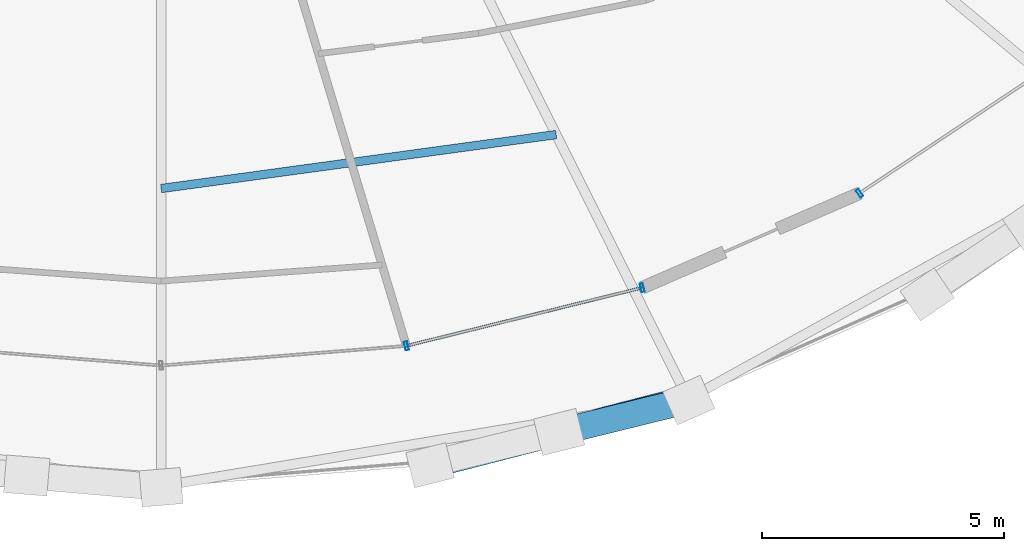
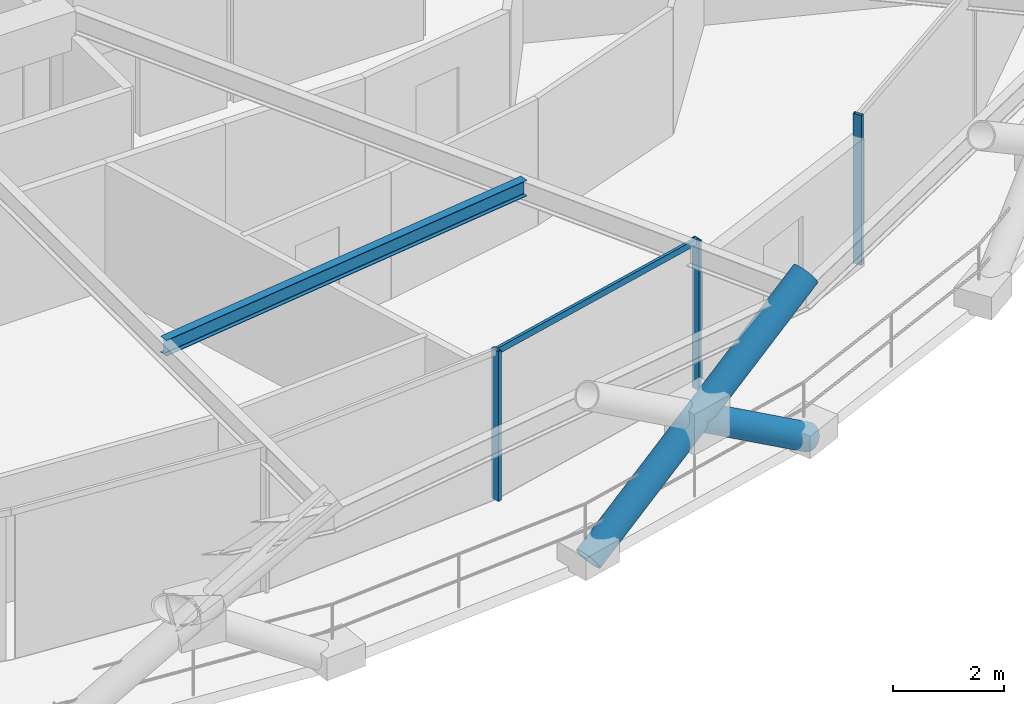
# One storey, part 4 of 20: 6 members, 1 beam, 2 elements without a shape of their own.
"""IFC4 building model written with IfcOpenShell, lengths in metres."""

from ifc_helpers import new_model, si_unit, direction, frame, origin, origin_2d, place, context, subcontext, project, spatial, hollow_rectangle, hollow_circle, i_section, extrude, material, layer, layer_set, material_profile, profile_set, type_object, element, aggregate, save


model = new_model("IFC4")

# Units and contexts
model_context = context("Model", 3, precision=1e-05, world=origin(), true_north=direction((0.0, 1.0)))
body_context = subcontext(model_context, "Body", "Model", "MODEL_VIEW")
ifc_project = project(units=[si_unit("LENGTHUNIT", "METRE"), si_unit("AREAUNIT", "SQUARE_METRE"), si_unit("VOLUMEUNIT", "CUBIC_METRE"), si_unit("PLANEANGLEUNIT", "RADIAN"), si_unit("MASSUNIT", "GRAM", prefix="KILO")], contexts=[model_context])

# Site, building, storey
site_placement = place(None, origin())
site = spatial("IfcSite", under=ifc_project, at=site_placement, CompositionType="ELEMENT")
building_placement = place(site_placement, origin())
building = spatial("IfcBuilding", under=site, at=building_placement, Name="Veldorina Hangang Commons", CompositionType="ELEMENT")
storey_placement = place(building_placement, frame((0.0, 0.0, 131.60009765625)))
storey = spatial("IfcBuildingStorey", under=building, at=storey_placement, Name="L33", CompositionType="ELEMENT", Elevation=131.60009765625)

# Beam
ifc_material_1 = material(Name="Steel SM355-TMC", Category="steel")
ifc_material_profile_1 = material_profile(ifc_material_1, i_section(OverallWidth=0.175048828125, OverallDepth=0.35009765625, WebThickness=0.007080078125, FlangeThickness=0.010986328125, FilletRadius=0.012939453125, at=origin_2d()), Name="H-350x175x7x11")
ifc_profile_set_1 = profile_set([ifc_material_profile_1], Name="Steel SM355-TMC")
beam_type = type_object("IfcBeamType", Name="BM-JST350", PredefinedType="JOIST", material=ifc_profile_set_1)
beam_placement = place(storey_placement, frame((32.0, 6.5029296875, 3.1748046875), z_axis=(0.990807291914, 0.135280857072, 0.0), x_axis=(-0.135280857072, 0.990807291914, 0.0)))
element("IfcBeam", 1, at=beam_placement, inside=storey, type_object=beam_type, Name="L33 secondary floor joist 13", PredefinedType="JOIST", context=body_context, shape_type="SweptSolid", body=[
    extrude(i_section(OverallWidth=0.175048828125, OverallDepth=0.35009765625, WebThickness=0.007080078125, FlangeThickness=0.010986328125, FilletRadius=0.012939453125, at=origin_2d()), origin(), (0.0, 0.0, 1.0), 8.2529296875),
])

# Curtain wall, members
ifc_material_2 = material(Name="Glass Low-E Triple IGU", Category="glass")
ifc_layer = layer(ifc_material_2, 0.179931640625)
ifc_layer_set = layer_set([ifc_layer], Name="Glass Low-E Triple IGU")
curtain_wall_type = type_object("IfcCurtainWallType", Name="CW-SYS-Z2", PredefinedType="NOTDEFINED", material=ifc_layer_set)
curtain_wall_1_placement = place(storey_placement, origin())
curtain_wall_1 = element("IfcCurtainWall", 2, at=curtain_wall_1_placement, inside=storey, type_object=curtain_wall_type, Name="L33 unitised curtain wall CW-L33-R1", PredefinedType="NOTDEFINED")
ifc_material_3 = material(Name="Aluminium Anodized AA6063-T6", Category="aluminium")
ifc_material_profile_2 = material_profile(ifc_material_3, hollow_rectangle(XDim=0.070068359375, YDim=0.179931640625, WallThickness=0.00390625, at=origin_2d()), Name="ALU-RHS-180x70x4")
ifc_profile_set_2 = profile_set([ifc_material_profile_2], Name="Aluminium Anodized AA6063-T6")
member_type_1 = type_object("IfcMemberType", Name="CW-MUL-180", PredefinedType="MULLION", material=ifc_profile_set_2)
member_1_placement = place(storey_placement, frame((37.076904296875, 3.24609375, 0.0), z_axis=(0.0, 0.0, 1.0), x_axis=(0.970896497312, 0.239499460349, 0.0)))
member_1 = element("IfcMember", 3, at=member_1_placement, type_object=member_type_1, Name="CW-L33-R1 vertical mullion 3", PredefinedType="MULLION", context=body_context, shape_type="SweptSolid", body=[
    extrude(hollow_rectangle(XDim=0.070068359375, YDim=0.179931640625, WallThickness=0.00390625, at=origin_2d()), origin(), (0.0, 0.0, 1.0), 3.309814453125),
])
member_2_placement = place(storey_placement, frame((41.958740234375, 4.4501953125, 0.0), z_axis=(0.0, 0.0, 1.0), x_axis=(-0.970896497312, -0.239499460349, 0.0)))
member_2 = element("IfcMember", 4, at=member_2_placement, type_object=member_type_1, Name="CW-L33-R1 vertical mullion 4", PredefinedType="MULLION", context=body_context, shape_type="SweptSolid", body=[
    extrude(hollow_rectangle(XDim=0.070068359375, YDim=0.179931640625, WallThickness=0.00390625, at=origin_2d()), origin(), (0.0, 0.0, 1.0), 3.309814453125),
])

# Curtain wall, member
curtain_wall_2_placement = place(storey_placement, origin())
curtain_wall_2 = element("IfcCurtainWall", 5, at=curtain_wall_2_placement, inside=storey, type_object=curtain_wall_type, Name="L33 unitised curtain wall CW-L33-R2", PredefinedType="NOTDEFINED")
member_3_placement = place(storey_placement, frame((46.4580078125, 6.405517578125, 0.0), z_axis=(0.0, 0.0, 1.0), x_axis=(0.8317991479, 0.55507673123, 0.0)))
member_3 = element("IfcMember", 6, at=member_3_placement, type_object=member_type_1, Name="CW-L33-R2 vertical mullion 1", PredefinedType="MULLION", context=body_context, shape_type="SweptSolid", body=[
    extrude(hollow_rectangle(XDim=0.070068359375, YDim=0.179931640625, WallThickness=0.00390625, at=origin_2d()), origin(), (0.0, 0.0, 1.0), 3.309814453125),
])
aggregate(curtain_wall_2, [member_3])

# Member
ifc_material_profile_3 = material_profile(ifc_material_3, hollow_rectangle(XDim=0.06005859375, YDim=0.139892578125, WallThickness=0.00341796875, at=origin_2d()), Name="ALU-RHS-140x60x3.5")
ifc_profile_set_3 = profile_set([ifc_material_profile_3], Name="Aluminium Anodized AA6063-T6")
member_type_2 = type_object("IfcMemberType", Name="CW-TRN-140", PredefinedType="USERDEFINED", material=ifc_profile_set_3)
member_4_placement = place(storey_placement, frame((37.076904296875, 3.24609375, 3.27001953125), z_axis=(0.970903121723, 0.239472604338, 0.0), x_axis=(-0.239472604338, 0.970903121723, 0.0)))
member_4 = element("IfcMember", 7, at=member_4_placement, type_object=member_type_2, Name="CW-L33-R1 facet 4 transom 1", ObjectType="TRANSOM", PredefinedType="USERDEFINED", context=body_context, shape_type="SweptSolid", body=[
    extrude(hollow_rectangle(XDim=0.06005859375, YDim=0.139892578125, WallThickness=0.00341796875, at=origin_2d()), origin(), (0.0, 0.0, 1.0), 5.028076171875),
])

aggregate(curtain_wall_1, [member_1, member_2, member_4])

# Members
ifc_material_4 = material(Name="Steel SM420-TMC", Category="steel")
ifc_material_profile_4 = material_profile(ifc_material_4, hollow_circle(Radius=0.27490234375, WallThickness=0.028076171875, at=origin_2d()), Name="CHS-550x28")
ifc_profile_set_4 = profile_set([ifc_material_profile_4], Name="Steel SM420-TMC")
member_type_3 = type_object("IfcMemberType", Name="DG-CHS550", PredefinedType="BRACE", material=ifc_profile_set_4)
member_5_placement = place(storey_placement, frame((37.568603515625, 0.7744140625, 0.0), z_axis=(0.810822079336, 0.208842492949, 0.546765369057), x_axis=(-0.249427943275, 0.968393360734, 0.0)))
element("IfcMember", 8, at=member_5_placement, inside=storey, type_object=member_type_3, Name="L33 continuous perimeter diagrid brace 25", PredefinedType="BRACE", context=body_context, shape_type="SweptSolid", body=[
    extrude(hollow_circle(Radius=0.27490234375, WallThickness=0.028076171875, at=origin_2d()), origin(), (0.0, 0.0, 1.0), 6.583984375),
])
member_6_placement = place(storey_placement, frame((42.923095703125, 2.1220703125, 0.0), z_axis=(-0.813506146741, -0.199990320125, 0.546087558062), x_axis=(0.238729390581, -0.971086133189, 0.0)))
element("IfcMember", 9, at=member_6_placement, inside=storey, type_object=member_type_3, Name="L33 split perimeter diagrid lower brace 26", PredefinedType="BRACE", context=body_context, shape_type="SweptSolid", body=[
    extrude(hollow_circle(Radius=0.27490234375, WallThickness=0.028076171875, at=origin_2d()), origin(), (0.0, 0.0, 1.0), 3.298583984375),
])

save(model, "model.ifc")
